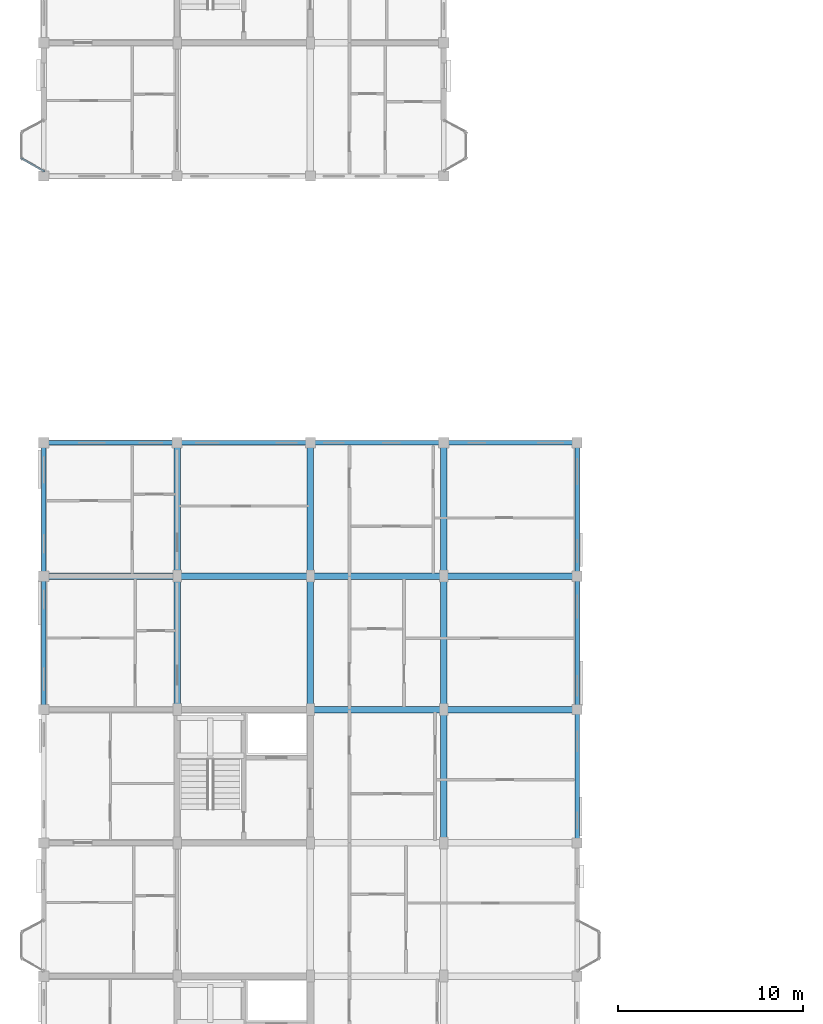
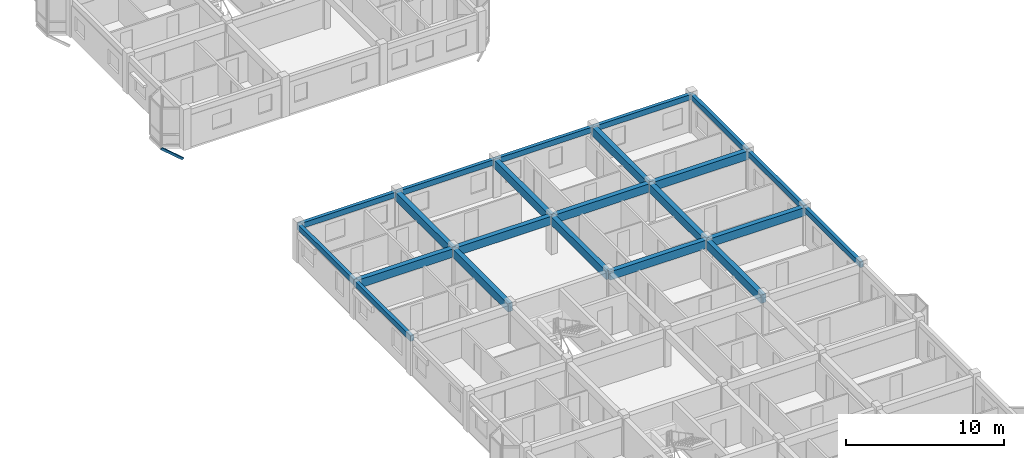
# One storey, part 12 of 77: 22 beams, 1 member.
"""IFC4 building model written with IfcOpenShell, lengths in metres."""

from ifc_helpers import new_model, si_unit, direction, frame, origin, origin_2d, place, context, subcontext, project, spatial, rectangle, hollow_rectangle, extrude, material, material_profile, profile_set, type_object, element, save


model = new_model("IFC4")

# Units and contexts
model_context = context("Model", 3, precision=1e-05, world=origin(), true_north=direction((0.0, 1.0)))
body_context = subcontext(model_context, "Body", "Model", "MODEL_VIEW")
ifc_project = project(units=[si_unit("LENGTHUNIT", "METRE"), si_unit("AREAUNIT", "SQUARE_METRE"), si_unit("VOLUMEUNIT", "CUBIC_METRE"), si_unit("PLANEANGLEUNIT", "RADIAN"), si_unit("MASSUNIT", "GRAM", prefix="KILO"), si_unit("THERMODYNAMICTEMPERATUREUNIT", "KELVIN"), si_unit("POWERUNIT", "WATT")], contexts=[model_context])

# Site, building, storey
site_placement = place(None, origin())
site = spatial("IfcSite", under=ifc_project, at=site_placement, CompositionType="ELEMENT")
building_placement = place(site_placement, origin())
building = spatial("IfcBuilding", under=site, at=building_placement, Name="Tavuni Mirador Residences", CompositionType="ELEMENT")
storey_placement = place(building_placement, frame((0.0, 0.0, 10.800048828125)))
storey = spatial("IfcBuildingStorey", under=building, at=storey_placement, Name="L03", CompositionType="ELEMENT", Elevation=10.800048828125)

# Beams
ifc_material_1 = material(Name="Precast concrete C40/50", Category="concrete")
ifc_material_profile_1 = material_profile(ifc_material_1, rectangle(XDim=0.35009765625, YDim=0.64990234375, at=origin_2d()), Name="PC 350x650", Category="concrete")
ifc_profile_set_1 = profile_set([ifc_material_profile_1], Name="Precast concrete C40/50")
beam_type_1 = type_object("IfcBeamType", Name="BT-B650", PredefinedType="BEAM", material=ifc_profile_set_1)
for number, where, z_axis, x_axis, name in (
    (1, (18.0, 36.0, 2.544921875), (1.0, 0.0, 0.0), (0.0, 1.0, 0.0), "BMX-BLK-A-L03-02-04"),
    (2, (25.199951171875, 36.0, 2.544921875), (1.0, 0.0, 0.0), (0.0, 1.0, 0.0), "BMX-BLK-A-L03-03-04"),
    (3, (3.60009765625, 43.199951171875, 2.544921875), (1.0, 0.0, 0.0), (0.0, 1.0, 0.0), "BMX-BLK-A-L03-00-05"),
    (4, (10.800048828125, 43.199951171875, 2.544921875), (1.0, 0.0, 0.0), (0.0, 1.0, 0.0), "BMX-BLK-A-L03-01-05"),
    (5, (18.0, 43.199951171875, 2.544921875), (1.0, 0.0, 0.0), (0.0, 1.0, 0.0), "BMX-BLK-A-L03-02-05"),
    (6, (25.199951171875, 43.199951171875, 2.544921875), (1.0, 0.0, 0.0), (0.0, 1.0, 0.0), "BMX-BLK-A-L03-03-05"),
    (7, (10.800048828125, 36.0, 2.544921875), (0.0, 1.0, 0.0), (-1.0, 0.0, 0.0), "BMY-BLK-A-L03-01-04"),
    (8, (10.800048828125, 43.199951171875, 2.544921875), (0.0, 1.0, 0.0), (-1.0, 0.0, 0.0), "BMY-BLK-A-L03-01-05"),
    (9, (18.0, 36.0, 2.544921875), (0.0, 1.0, 0.0), (-1.0, 0.0, 0.0), "BMY-BLK-A-L03-02-04"),
    (10, (18.0, 43.199951171875, 2.544921875), (0.0, 1.0, 0.0), (-1.0, 0.0, 0.0), "BMY-BLK-A-L03-02-05"),
    (11, (25.199951171875, 28.800048828125, 2.544921875), (0.0, 1.0, 0.0), (-1.0, 0.0, 0.0), "BMY-BLK-A-L03-03-03"),
    (12, (25.199951171875, 36.0, 2.544921875), (0.0, 1.0, 0.0), (-1.0, 0.0, 0.0), "BMY-BLK-A-L03-03-04"),
    (13, (25.199951171875, 43.199951171875, 2.544921875), (0.0, 1.0, 0.0), (-1.0, 0.0, 0.0), "BMY-BLK-A-L03-03-05"),
):
    element("IfcBeam", number, at=place(storey_placement, frame(where, z_axis=z_axis, x_axis=x_axis)), inside=storey, type_object=beam_type_1, Name=name, PredefinedType="BEAM", context=body_context, shape_type="SweptSolid", body=[
        extrude(rectangle(XDim=0.35009765625, YDim=0.64990234375, at=origin_2d()), origin(), (0.0, 0.0, 1.0), 7.199951171875),
    ])
ifc_material_profile_2 = material_profile(ifc_material_1, rectangle(XDim=0.25, YDim=0.419921875, at=origin_2d()), Name="PC 250x420", Category="concrete")
ifc_profile_set_2 = profile_set([ifc_material_profile_2], Name="Precast concrete C40/50")
beam_type_2 = type_object("IfcBeamType", Name="BT-SP420", PredefinedType="SPANDREL", material=ifc_profile_set_2)
for number, where, z_axis, x_axis, name in (
    (14, (3.60009765625, 50.39990234375, 2.659912109375), (1.0, 0.0, 0.0), (0.0, 1.0, 0.0), "BMX-BLK-A-L03-00-06"),
    (15, (10.800048828125, 50.39990234375, 2.659912109375), (1.0, 0.0, 0.0), (0.0, 1.0, 0.0), "BMX-BLK-A-L03-01-06"),
    (16, (18.0, 50.39990234375, 2.659912109375), (1.0, 0.0, 0.0), (0.0, 1.0, 0.0), "BMX-BLK-A-L03-02-06"),
    (17, (25.199951171875, 50.39990234375, 2.659912109375), (1.0, 0.0, 0.0), (0.0, 1.0, 0.0), "BMX-BLK-A-L03-03-06"),
    (18, (3.60009765625, 36.0, 2.659912109375), (0.0, 1.0, 0.0), (-1.0, 0.0, 0.0), "BMY-BLK-A-L03-00-04"),
    (19, (3.60009765625, 43.199951171875, 2.659912109375), (0.0, 1.0, 0.0), (-1.0, 0.0, 0.0), "BMY-BLK-A-L03-00-05"),
    (20, (32.39990234375, 28.800048828125, 2.659912109375), (0.0, 1.0, 0.0), (-1.0, 0.0, 0.0), "BMY-BLK-A-L03-04-03"),
    (21, (32.39990234375, 36.0, 2.659912109375), (0.0, 1.0, 0.0), (-1.0, 0.0, 0.0), "BMY-BLK-A-L03-04-04"),
    (22, (32.39990234375, 43.199951171875, 2.659912109375), (0.0, 1.0, 0.0), (-1.0, 0.0, 0.0), "BMY-BLK-A-L03-04-05"),
):
    element("IfcBeam", number, at=place(storey_placement, frame(where, z_axis=z_axis, x_axis=x_axis)), inside=storey, type_object=beam_type_2, Name=name, PredefinedType="SPANDREL", context=body_context, shape_type="SweptSolid", body=[
        extrude(rectangle(XDim=0.25, YDim=0.419921875, at=origin_2d()), origin(), (0.0, 0.0, 1.0), 7.199951171875),
    ])

# Member
ifc_material_2 = material(Name="Structural steel S355", Category="steel")
ifc_material_profile_3 = material_profile(ifc_material_2, hollow_rectangle(XDim=0.10009765625, YDim=0.179931640625, WallThickness=0.008056640625, at=origin_2d()), Name="RHS 180x100x8.0", Category="steel")
ifc_profile_set_3 = profile_set([ifc_material_profile_3], Name="Structural steel S355")
member_type = type_object("IfcMemberType", Name="MT-BR-RHS180", PredefinedType="BRACE", material=ifc_profile_set_3)
member_placement = place(storey_placement, frame((3.60009765625, 65.074951171875, -1.050048828125), z_axis=(-0.749249090491, 0.427663333588, 0.505697412988), x_axis=(-0.495720321961, -0.868482217662, 0.0)))
element("IfcMember", 23, at=member_placement, inside=storey, type_object=member_type, Name="MBRK-MIR-B-W1-L03-1", PredefinedType="BRACE", context=body_context, shape_type="SweptSolid", body=[
    extrude(hollow_rectangle(XDim=0.10009765625, YDim=0.179931640625, WallThickness=0.008056640625, at=origin_2d()), origin(), (0.0, 0.0, 1.0), 1.601806640625),
])

save(model, "model.ifc")
